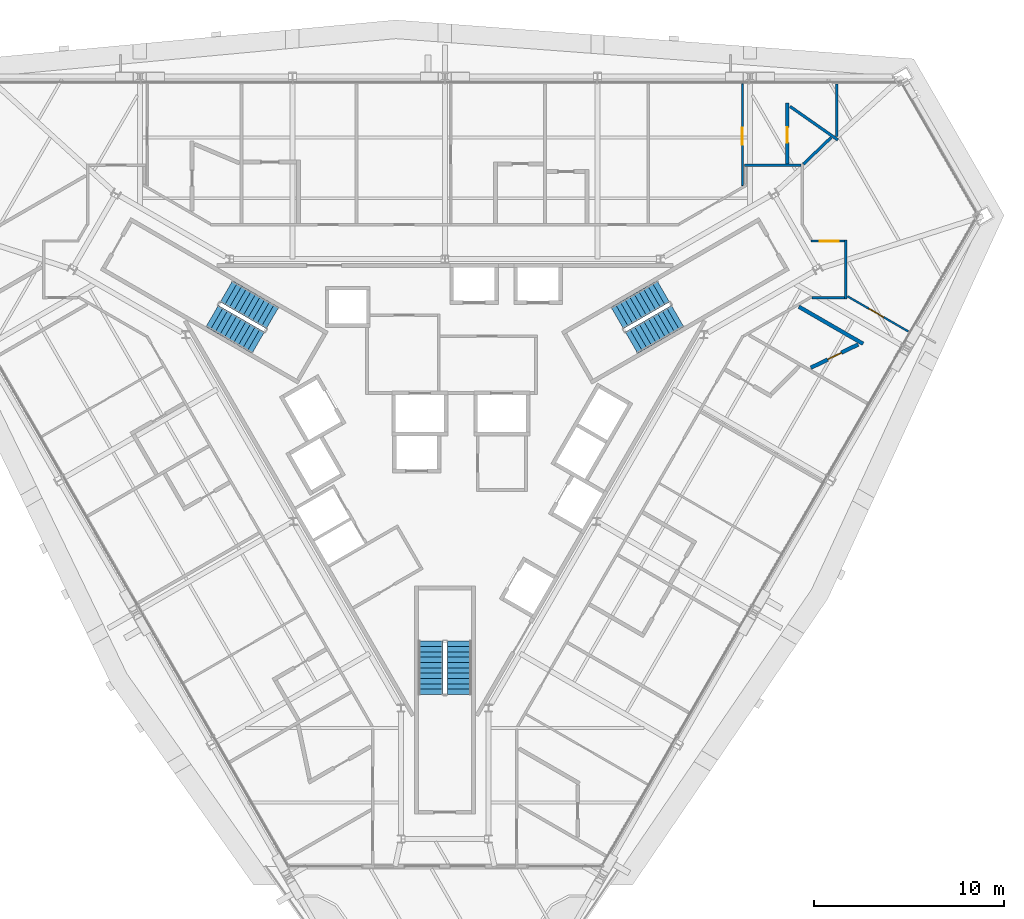
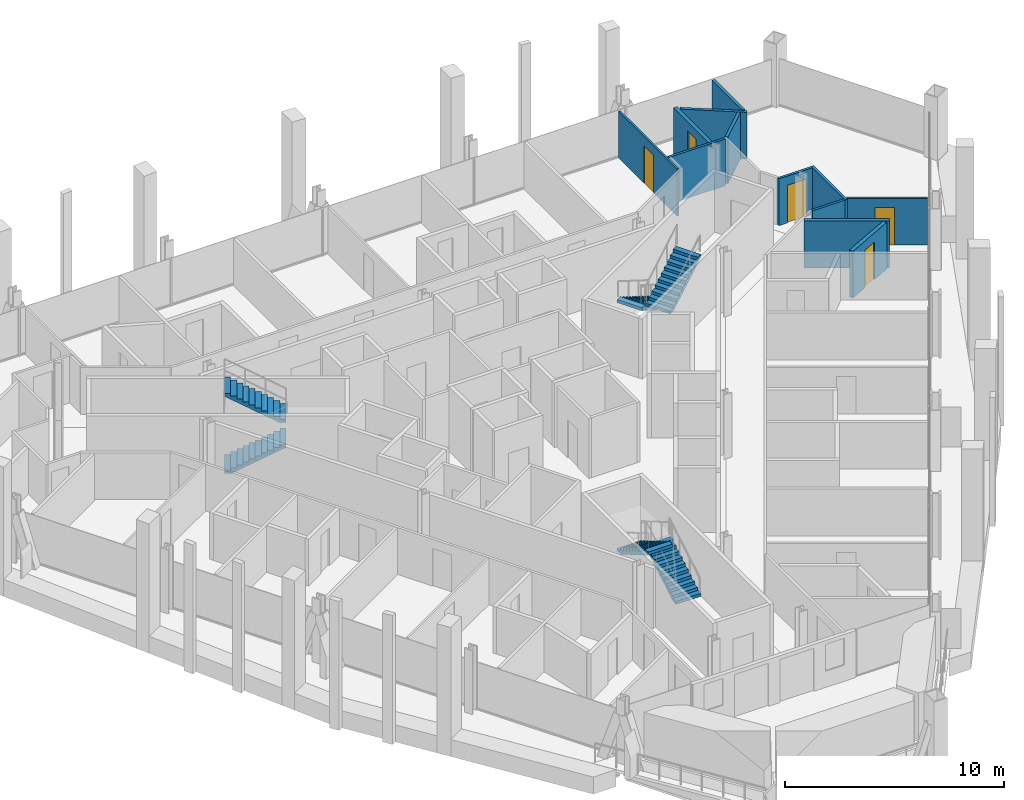
# One storey, part 14 of 16: 12 walls, 6 stair flights, 5 doors, 5 openings, 3 elements without a shape of their own.
"""IFC4 building model written with IfcOpenShell, lengths in metres."""

import ifcopenshell
import ifcopenshell.guid

model = None  # the IFC model being written
_history = None  # IfcOwnerHistory: only IFC2X3 demands one
_inside = {}  # id of a spatial element -> (the spatial element, [elements in it])
_under = {}  # id of a project, library or spatial element -> (it, [spatial elements below it])
_declared = {}  # id of a project -> (the project, [libraries it declares])
_typed = {}  # id of a type object -> (the type object, [elements of that type])
_made_of = {}  # id of a material, layer set ... -> (it, [elements and type objects made of it])


def new_model(schema):
    """Start an empty IFC model of exactly this schema.

    Asked for "IFC4X3", IfcOpenShell would pick the latest addendum, in which some entities
    have other attributes; the version numbers below select the first issue.
    IFC2X3 requires an IfcOwnerHistory on every rooted entity: one is made here for all.
    """
    global model, _history
    if schema == "IFC4X3":
        model = ifcopenshell.file(schema_version=(4, 3, 0, 0))
    else:
        model = ifcopenshell.file(schema=schema)
    _inside.clear()
    _under.clear()
    _declared.clear()
    _typed.clear()
    _made_of.clear()
    _history = None
    if model.schema == "IFC2X3":
        org = make("IfcOrganization", Name="unknown")
        user = make(
            "IfcPersonAndOrganization",
            ThePerson=make("IfcPerson", FamilyName="unknown"),
            TheOrganization=org,
        )
        app = make(
            "IfcApplication",
            ApplicationDeveloper=org,
            Version="unknown",
            ApplicationFullName="unknown",
            ApplicationIdentifier="unknown",
        )
        _history = make(
            "IfcOwnerHistory",
            OwningUser=user,
            OwningApplication=app,
            ChangeAction="ADDED",
            CreationDate=0,
        )
    return model


def make(cls, **values):
    """One entity of the class cls with the attributes given. An attribute that is None is left unset."""
    return model.create_entity(
        cls, **{name: value for name, value in values.items() if value is not None}
    )


def rooted(cls, **values):
    """An entity with a GlobalId (a new one), such as an element, a storey or a relation."""
    return make(cls, GlobalId=ifcopenshell.guid.new(), OwnerHistory=_history, **values)


def si_unit(unit_type, name, prefix=None):
    """IfcSIUnit, for example si_unit("LENGTHUNIT", "METRE", prefix="MILLI")."""
    return make("IfcSIUnit", UnitType=unit_type, Prefix=prefix, Name=name)


def assignment(units):
    """IfcUnitAssignment: the units of a project."""
    return None if units is None else make("IfcUnitAssignment", Units=units)


def point(xyz):
    """IfcCartesianPoint."""
    return None if xyz is None else make("IfcCartesianPoint", Coordinates=xyz)


def direction(xyz):
    """IfcDirection."""
    return None if xyz is None else make("IfcDirection", DirectionRatios=xyz)


def frame(location, z_axis=None, x_axis=None):
    """IfcAxis2Placement3D, a coordinate frame: its origin and axes. An axis left out is left unset."""
    return make(
        "IfcAxis2Placement3D",
        Location=point(location),
        Axis=direction(z_axis),
        RefDirection=direction(x_axis),
    )


def frame_2d(location, x_axis=None):
    """IfcAxis2Placement2D, a coordinate frame in the plane: its origin and x axis."""
    return make(
        "IfcAxis2Placement2D", Location=point(location), RefDirection=direction(x_axis)
    )


def origin():
    """The frame at (0, 0, 0) with its axes left unset."""
    return frame((0.0, 0.0, 0.0))


def place(relative_to, where):
    """IfcLocalPlacement: puts the frame where relative to a parent placement (None: the world)."""
    return make(
        "IfcLocalPlacement", PlacementRelTo=relative_to, RelativePlacement=where
    )


def context(
    kind, dimensions, precision=None, world=None, true_north=None, identifier=None
):
    """IfcGeometricRepresentationContext, for example the 3D "Model" context."""
    return make(
        "IfcGeometricRepresentationContext",
        ContextIdentifier=identifier,
        ContextType=kind,
        CoordinateSpaceDimension=dimensions,
        Precision=precision,
        WorldCoordinateSystem=world,
        TrueNorth=true_north,
    )


def subcontext(parent, identifier, kind, view, scale=None):
    """IfcGeometricRepresentationSubContext, for example "Body" below "Model"."""
    return make(
        "IfcGeometricRepresentationSubContext",
        ContextIdentifier=identifier,
        ContextType=kind,
        ParentContext=parent,
        TargetScale=scale,
        TargetView=view,
    )


def project(units=None, contexts=None):
    """IfcProject with its units and contexts."""
    return rooted(
        "IfcProject",
        Name="project",
        RepresentationContexts=contexts,
        UnitsInContext=assignment(units),
    )


def spatial(cls, under=None, at=None, **own):
    """A site, building, storey or space (cls), placed at a placement, below another one or the project."""
    s = rooted(cls, ObjectPlacement=at, **own)
    if under is not None:
        _under.setdefault(under.id(), (under, []))[1].append(s)
    return s


def polyline(points):
    """IfcPolyline through the points."""
    return make("IfcPolyline", Points=[point(p) for p in points])


def profile(cls, at=None, kind="AREA", **sizes):
    """A parametric profile (cls). Its sizes go by their IFC names, for example OverallWidth=200.0."""
    return make(cls, ProfileType=kind, Position=at, **sizes)


def rectangle(**sizes):
    """IfcRectangleProfileDef."""
    return profile("IfcRectangleProfileDef", **sizes)


def outline(outer, holes=None, kind="AREA"):
    """IfcArbitraryClosedProfileDef: a profile drawn as a closed curve; with holes, ...WithVoids."""
    if holes is None:
        return make("IfcArbitraryClosedProfileDef", ProfileType=kind, OuterCurve=outer)
    return make(
        "IfcArbitraryProfileDefWithVoids",
        ProfileType=kind,
        OuterCurve=outer,
        InnerCurves=holes,
    )


def extrude(swept, where, along, depth):
    """IfcExtrudedAreaSolid: the profile swept, set in the frame where, extruded along a direction by depth."""
    return make(
        "IfcExtrudedAreaSolid",
        SweptArea=swept,
        Position=where,
        ExtrudedDirection=direction(along),
        Depth=depth,
    )


def shape(context_of_items, identifier, shape_type, items):
    """IfcShapeRepresentation: the items that make up one representation, for example the "Body"."""
    return make(
        "IfcShapeRepresentation",
        ContextOfItems=context_of_items,
        RepresentationIdentifier=identifier,
        RepresentationType=shape_type,
        Items=items,
    )


def material(Name=None, Category=None):
    """IfcMaterial."""
    return make("IfcMaterial", Name=Name, Category=Category)


def layer(
    of_material, thickness, ventilated=None, Name=None, Category=None, Priority=None
):
    """IfcMaterialLayer: one layer of a wall or slab, of a material (None: an air gap)."""
    return make(
        "IfcMaterialLayer",
        Material=of_material,
        LayerThickness=thickness,
        IsVentilated=ventilated,
        Name=Name,
        Category=Category,
        Priority=Priority,
    )


def layer_set(layers, Name=None):
    """IfcMaterialLayerSet."""
    return make("IfcMaterialLayerSet", MaterialLayers=layers, LayerSetName=Name)


def made_of(thing, what):
    """Note that an element or type object is made of a material, layer set ...; save() writes the relation."""
    if what is not None:
        _made_of.setdefault(what.id(), (what, []))[1].append(thing)
    return thing


def type_object(cls, material=None, **own):
    """A type object (cls), such as IfcWallType, which elements share."""
    return made_of(rooted(cls, **own), material)


def element(
    cls,
    number,
    at=None,
    inside=None,
    cuts=None,
    type_object=None,
    material=None,
    context=None,
    identifier="Body",
    shape_type=None,
    held_by="IfcProductDefinitionShape",
    body=None,
    shapes=None,
    **own,
):
    """One element of the class cls, such as IfcWall. Its Tag is "e" and its number.

    at: its placement. inside: the storey or other place that contains it. cuts: it is an
    opening in that element (IfcRelVoidsElement). A single representation is given by context,
    identifier, shape_type and body (its items); several are given by shapes. held_by: the class
    of the entity that holds the representations. save() writes the other relations.
    """
    e = rooted(cls, Tag="e%d" % number, ObjectPlacement=at, **own)
    if body is not None:
        shapes = [shape(context, identifier, shape_type, body)]
    if shapes is not None:
        e.Representation = make(held_by, Representations=shapes)
    if inside is not None:
        _inside.setdefault(inside.id(), (inside, []))[1].append(e)
    if cuts is not None:
        rooted(
            "IfcRelVoidsElement", RelatingBuildingElement=cuts, RelatedOpeningElement=e
        )
    if type_object is not None:
        _typed.setdefault(type_object.id(), (type_object, []))[1].append(e)
    return made_of(e, material)


def fill(opening, filler):
    """IfcRelFillsElement: the door or window that sits in an opening."""
    return rooted(
        "IfcRelFillsElement",
        RelatingOpeningElement=opening,
        RelatedBuildingElement=filler,
    )


def aggregate(whole, parts):
    """IfcRelAggregates: a whole, such as a stair, and the parts it consists of."""
    return rooted("IfcRelAggregates", RelatingObject=whole, RelatedObjects=parts)


def save(model, path):
    """Write the relations noted so far, then the file.

    IfcRelAggregates (storeys below a building ...), IfcRelContainedInSpatialStructure (elements
    in a storey), IfcRelDefinesByType, IfcRelAssociatesMaterial and IfcRelDeclares: one each for
    every whole, place, type object, material and project.
    """
    for whole, parts in _under.values():
        aggregate(whole, parts)
    for where, things in _inside.values():
        rooted(
            "IfcRelContainedInSpatialStructure",
            RelatedElements=things,
            RelatingStructure=where,
        )
    for kind, things in _typed.values():
        rooted("IfcRelDefinesByType", RelatedObjects=things, RelatingType=kind)
    for what, things in _made_of.values():
        rooted("IfcRelAssociatesMaterial", RelatedObjects=things, RelatingMaterial=what)
    for by, libraries in _declared.values():
        rooted("IfcRelDeclares", RelatingContext=by, RelatedDefinitions=libraries)
    model.write(path)


model = new_model("IFC4")

# Units and contexts
model_context = context("Model", 3, precision=1e-05, world=origin(), true_north=direction((0.0, 1.0)))
body_context = subcontext(model_context, "Body", "Model", "MODEL_VIEW")
ifc_project = project(units=[si_unit("LENGTHUNIT", "METRE"), si_unit("AREAUNIT", "SQUARE_METRE"), si_unit("VOLUMEUNIT", "CUBIC_METRE"), si_unit("PLANEANGLEUNIT", "RADIAN"), si_unit("MASSUNIT", "GRAM", prefix="KILO")], contexts=[model_context])

# Site, building, storey
site_placement = place(None, origin())
site = spatial("IfcSite", under=ifc_project, at=site_placement, CompositionType="ELEMENT")
building_placement = place(site_placement, origin())
building = spatial("IfcBuilding", under=site, at=building_placement, Name="Verrane Prism Tower", CompositionType="ELEMENT")
storey_placement = place(building_placement, frame((0.0, 0.0, 114.39990234375)))
storey = spatial("IfcBuildingStorey", under=building, at=storey_placement, Name="L27", CompositionType="ELEMENT", Elevation=114.39990234375)

# Wall, opening, door
ifc_material_1 = material(Name="Gypsum board partition", Category="other")
ifc_layer_1 = layer(ifc_material_1, 0.10009765625)
ifc_layer_set_1 = layer_set([ifc_layer_1], Name="PW-100 room partition")
wall_type_1 = type_object("IfcWallType", Name="PW-100 room partition", PredefinedType="PARTITIONING", material=ifc_layer_set_1)
wall_1_placement = place(storey_placement, frame((15.65087890625, 18.4150390625, 0.0), z_axis=(0.0, 0.0, 1.0), x_axis=(0.0, -1.0, 0.0)))
wall_1 = element("IfcWall", 1, at=wall_1_placement, inside=storey, type_object=wall_type_1, Name="Room partition 061", PredefinedType="PARTITIONING", context=body_context, shape_type="SweptSolid", body=[
    extrude(rectangle(XDim=5.35205078125, YDim=0.10009765625, at=frame_2d((2.676025390625, 0.0))), origin(), (0.0, 0.0, 1.0), 2.613037109375),
])
opening_1_placement = place(wall_1_placement, frame((2.302978515625, 0.0, 0.0)))
opening_1 = element("IfcOpeningElement", 2, at=opening_1_placement, cuts=wall_1, Name="Opening D27002", PredefinedType="OPENING", context=body_context, shape_type="SweptSolid", body=[
    extrude(rectangle(XDim=0.89990234375, YDim=2.10009765625, at=frame_2d((0.449951171875, 1.050048828125))), frame((0.0, 0.06005859375, 0.0), z_axis=(0.0, -1.0, 0.0), x_axis=(1.0, 0.0, 0.0)), (0.0, 0.0, 1.0), 0.1201171875),
])
ifc_material_2 = material(Name="Timber veneered door leaf", Category="wood")
door_type_1 = type_object("IfcDoorType", Name="DR-900x2100 single leaf inner", OperationType="NOTDEFINED", PredefinedType="DOOR", material=ifc_material_2)
door_1_placement = place(opening_1_placement, origin())
door_1 = element("IfcDoor", 3, at=door_1_placement, inside=storey, type_object=door_type_1, Name="Suite Living Room door", OperationType="SINGLE_SWING_LEFT", OverallHeight=2.10009765625, OverallWidth=0.89990234375, PredefinedType="DOOR", context=body_context, shape_type="SweptSolid", body=[
    extrude(rectangle(XDim=0.89990234375, YDim=2.10009765625, at=frame_2d((0.449951171875, 1.050048828125))), frame((0.0, 0.02490234375, 0.0), z_axis=(0.0, -1.0, 0.0), x_axis=(1.0, 0.0, 0.0)), (0.0, 0.0, 1.0), 0.050048828125),
])
fill(opening_1, door_1)

wall_2_placement = place(storey_placement, frame((24.375732421875, 5.389892578125, 0.0), z_axis=(0.0, 0.0, 1.0), x_axis=(-0.865974401185, 0.500088328689, 0.0)))
wall_2 = element("IfcWall", 4, at=wall_2_placement, inside=storey, type_object=wall_type_1, Name="Room partition 078", PredefinedType="PARTITIONING", context=body_context, shape_type="SweptSolid", body=[
    extrude(rectangle(XDim=3.696533203125, YDim=0.10009765625, at=frame_2d((1.84814453125, 0.0))), origin(), (0.0, 0.0, 1.0), 2.613037109375),
])
opening_2_placement = place(wall_2_placement, frame((1.497802734375, 0.0, 0.0)))
opening_2 = element("IfcOpeningElement", 5, at=opening_2_placement, cuts=wall_2, Name="Opening D27038", PredefinedType="OPENING", context=body_context, shape_type="SweptSolid", body=[
    extrude(rectangle(XDim=0.89990234375, YDim=2.10009765625, at=frame_2d((0.449951171875, 1.050048828125))), frame((0.0, 0.06005859375, 0.0), z_axis=(0.0, -1.0, 0.0), x_axis=(1.0, 0.0, 0.0)), (0.0, 0.0, 1.0), 0.1201171875),
])
door_2_placement = place(opening_2_placement, origin())
door_2 = element("IfcDoor", 6, at=door_2_placement, inside=storey, type_object=door_type_1, Name="Suite Living Room door", OperationType="SINGLE_SWING_LEFT", OverallHeight=2.10009765625, OverallWidth=0.89990234375, PredefinedType="DOOR", context=body_context, shape_type="SweptSolid", body=[
    extrude(rectangle(XDim=0.89990234375, YDim=2.10009765625, at=frame_2d((0.449951171875, 1.050048828125))), frame((0.0, 0.02490234375, 0.0), z_axis=(0.0, -1.0, 0.0), x_axis=(1.0, 0.0, 0.0)), (0.0, 0.0, 1.0), 0.050048828125),
])
fill(opening_2, door_2)

# Walls
ifc_material_3 = material(Name="Gypsum board partition", Category="other")
ifc_layer_2 = layer(ifc_material_3, 0.125)
ifc_layer_set_2 = layer_set([ifc_layer_2], Name="PW-125 corridor wall 1 h")
wall_type_2 = type_object("IfcWallType", Name="PW-125 corridor wall 1 h", PredefinedType="PARTITIONING", material=ifc_layer_set_2)
wall_3_placement = place(storey_placement, frame((15.75048828125, 14.126953125, 0.0), z_axis=(0.0, 0.0, 1.0), x_axis=(1.0, 0.0, 0.0)))
element("IfcWall", 7, at=wall_3_placement, inside=storey, type_object=wall_type_2, Name="Corridor wall 064", PredefinedType="PARTITIONING", context=body_context, shape_type="SweptSolid", body=[
    extrude(rectangle(XDim=2.971435546875, YDim=0.125, at=frame_2d((1.48583984375, 0.0))), origin(), (0.0, 0.0, 1.0), 2.613037109375),
])
wall_4_placement = place(storey_placement, frame((19.30908203125, 7.173095703125, 0.0), z_axis=(0.0, 0.0, 1.0), x_axis=(1.0, 0.0, 0.0)))
element("IfcWall", 8, at=wall_4_placement, inside=storey, type_object=wall_type_2, Name="Corridor wall 074", PredefinedType="PARTITIONING", context=body_context, shape_type="SweptSolid", body=[
    extrude(rectangle(XDim=1.712890625, YDim=0.125, at=frame_2d((0.8564453125, 0.0))), origin(), (0.0, 0.0, 1.0), 2.613037109375),
])

# Wall, opening, door
wall_5_placement = place(storey_placement, frame((19.25146484375, 10.14697265625, 0.0), z_axis=(0.0, 0.0, 1.0), x_axis=(1.0, 0.0, 0.0)))
wall_5 = element("IfcWall", 9, at=wall_5_placement, inside=storey, type_object=wall_type_2, Name="Corridor wall 075", PredefinedType="PARTITIONING", context=body_context, shape_type="SweptSolid", body=[
    extrude(rectangle(XDim=1.7705078125, YDim=0.125, at=frame_2d((0.88525390625, 0.0))), origin(), (0.0, 0.0, 1.0), 2.613037109375),
])
opening_3_placement = place(wall_5_placement, frame((0.46240234375, 0.0, 0.0)))
opening_3 = element("IfcOpeningElement", 10, at=opening_3_placement, cuts=wall_5, Name="Opening D27037", PredefinedType="OPENING", context=body_context, shape_type="SweptSolid", body=[
    extrude(rectangle(XDim=1.0, YDim=2.10009765625, at=frame_2d((0.5, 1.050048828125))), frame((0.0, 0.072509765625, 0.0), z_axis=(0.0, -1.0, 0.0), x_axis=(1.0, 0.0, 0.0)), (0.0, 0.0, 1.0), 0.14501953125),
])
ifc_material_4 = material(Name="Timber veneered door leaf", Category="wood")
door_type_2 = type_object("IfcDoorType", Name="DR-1000x2100 FD20 single leaf unit", OperationType="NOTDEFINED", PredefinedType="DOOR", material=ifc_material_4)
door_3_placement = place(opening_3_placement, origin())
door_3 = element("IfcDoor", 11, at=door_3_placement, inside=storey, type_object=door_type_2, Name="Suite Living Room door", OperationType="SINGLE_SWING_LEFT", OverallHeight=2.10009765625, OverallWidth=1.0, PredefinedType="DOOR", context=body_context, shape_type="SweptSolid", body=[
    extrude(rectangle(XDim=1.0, YDim=2.10009765625, at=frame_2d((0.5, 1.050048828125))), frame((0.0, 0.02490234375, 0.0), z_axis=(0.0, -1.0, 0.0), x_axis=(1.0, 0.0, 0.0)), (0.0, 0.0, 1.0), 0.050048828125),
])
fill(opening_3, door_3)

# Walls
wall_6_placement = place(storey_placement, frame((21.0869140625, 7.110595703125, 0.0), z_axis=(0.0, 0.0, 1.0), x_axis=(0.0, 1.0, 0.0)))
element("IfcWall", 12, at=wall_6_placement, inside=storey, type_object=wall_type_2, Name="Corridor wall 077", PredefinedType="PARTITIONING", context=body_context, shape_type="SweptSolid", body=[
    extrude(rectangle(XDim=3.098876953125, YDim=0.125, at=frame_2d((1.54931640625, 0.0))), origin(), (0.0, 0.0, 1.0), 2.613037109375),
])
ifc_material_5 = material(Name="Gypsum board partition", Category="other")
ifc_layer_3 = layer(ifc_material_5, 0.14990234375)
ifc_layer_set_3 = layer_set([ifc_layer_3], Name="PW-150 demising wall 1 h")
wall_type_3 = type_object("IfcWallType", Name="PW-150 demising wall 1 h", PredefinedType="PARTITIONING", material=ifc_layer_set_3)
wall_7_placement = place(storey_placement, frame((18.150390625, 17.2265625, 0.0), z_axis=(0.0, 0.0, 1.0), x_axis=(0.819261773051, -0.573419695526, 0.0)))
element("IfcWall", 13, at=wall_7_placement, inside=storey, type_object=wall_type_3, Name="Demising wall 068", PredefinedType="PARTITIONING", context=body_context, shape_type="SweptSolid", body=[
    extrude(rectangle(XDim=3.073486328125, YDim=0.14990234375, at=frame_2d((1.53662109375, 0.0))), origin(), (0.0, 0.0, 1.0), 2.613037109375),
])
wall_8_placement = place(storey_placement, frame((18.85009765625, 14.1875, 0.0), z_axis=(0.0, 0.0, 1.0), x_axis=(0.722035565689, 0.69185594012, 0.0)))
element("IfcWall", 14, at=wall_8_placement, inside=storey, type_object=wall_type_3, Name="Demising wall 072", PredefinedType="PARTITIONING", context=body_context, shape_type="SweptSolid", body=[
    extrude(rectangle(XDim=2.03857421875, YDim=0.14990234375, at=frame_2d((1.019287109375, 0.0))), origin(), (0.0, 0.0, 1.0), 2.613037109375),
])
wall_9_placement = place(storey_placement, frame((20.60693359375, 15.652099609375, 0.0), z_axis=(0.0, 0.0, 1.0), x_axis=(0.0, 1.0, 0.0)))
element("IfcWall", 15, at=wall_9_placement, inside=storey, type_object=wall_type_3, Name="Demising wall 076", PredefinedType="PARTITIONING", context=body_context, shape_type="SweptSolid", body=[
    extrude(rectangle(XDim=2.762939453125, YDim=0.14990234375, at=frame_2d((1.38134765625, 0.0))), origin(), (0.0, 0.0, 1.0), 2.613037109375),
])

# Wall, opening, door
ifc_material_6 = material(Name="Gypsum board partition", Category="other")
ifc_layer_4 = layer(ifc_material_6, 0.199951171875)
ifc_layer_set_4 = layer_set([ifc_layer_4], Name="PW-200 plumbing wall")
wall_type_4 = type_object("IfcWallType", Name="PW-200 plumbing wall", PredefinedType="PARTITIONING", material=ifc_layer_set_4)
wall_10_placement = place(storey_placement, frame((18.007080078125, 17.402099609375, 0.0), z_axis=(0.0, 0.0, 1.0), x_axis=(0.0, -1.0, 0.0)))
wall_10 = element("IfcWall", 16, at=wall_10_placement, inside=storey, type_object=wall_type_4, Name="Plumbing wall 067", PredefinedType="PARTITIONING", context=body_context, shape_type="SweptSolid", body=[
    extrude(rectangle(XDim=3.212646484375, YDim=0.199951171875, at=frame_2d((1.6064453125, 0.0))), origin(), (0.0, 0.0, 1.0), 2.613037109375),
])
opening_4_placement = place(wall_10_placement, frame((1.27490234375, 0.0, 0.0)))
opening_4 = element("IfcOpeningElement", 17, at=opening_4_placement, cuts=wall_10, Name="Opening D27003", PredefinedType="OPENING", context=body_context, shape_type="SweptSolid", body=[
    extrude(rectangle(XDim=0.800048828125, YDim=2.10009765625, at=frame_2d((0.39990234375, 1.050048828125))), frame((0.0, 0.10986328125, 0.0), z_axis=(0.0, -1.0, 0.0), x_axis=(1.0, 0.0, 0.0)), (0.0, 0.0, 1.0), 0.219970703125),
])
ifc_material_7 = material(Name="Timber veneered door leaf", Category="wood")
door_type_3 = type_object("IfcDoorType", Name="DR-800x2100 single leaf bath", OperationType="NOTDEFINED", PredefinedType="DOOR", material=ifc_material_7)
door_4_placement = place(opening_4_placement, origin())
door_4 = element("IfcDoor", 18, at=door_4_placement, inside=storey, type_object=door_type_3, Name="En-Suite door", OperationType="SINGLE_SWING_RIGHT", OverallHeight=2.10009765625, OverallWidth=0.800048828125, PredefinedType="DOOR", context=body_context, shape_type="SweptSolid", body=[
    extrude(rectangle(XDim=0.800048828125, YDim=2.10009765625, at=frame_2d((0.39990234375, 1.050048828125))), frame((0.0, 0.02490234375, 0.0), z_axis=(0.0, -1.0, 0.0), x_axis=(1.0, 0.0, 0.0)), (0.0, 0.0, 1.0), 0.050048828125),
])
fill(opening_4, door_4)

# Wall
wall_11_placement = place(storey_placement, frame((18.616455078125, 6.692138671875, 0.0), z_axis=(0.0, 0.0, 1.0), x_axis=(0.865984367075, -0.500071070931, 0.0)))
element("IfcWall", 19, at=wall_11_placement, inside=storey, type_object=wall_type_4, Name="Plumbing wall 069", PredefinedType="PARTITIONING", context=body_context, shape_type="SweptSolid", body=[
    extrude(rectangle(XDim=3.89990234375, YDim=0.199951171875, at=frame_2d((1.949951171875, 0.0))), origin(), (0.0, 0.0, 1.0), 2.613037109375),
])

# Wall, opening, door
wall_12_placement = place(storey_placement, frame((19.244873046875, 3.478515625, 0.0), z_axis=(0.0, 0.0, 1.0), x_axis=(0.896782684503, 0.44247126096, 0.0)))
wall_12 = element("IfcWall", 20, at=wall_12_placement, inside=storey, type_object=wall_type_4, Name="Plumbing wall 073", PredefinedType="PARTITIONING", context=body_context, shape_type="SweptSolid", body=[
    extrude(rectangle(XDim=2.78369140625, YDim=0.199951171875, at=frame_2d((1.391845703125, 0.0))), origin(), (0.0, 0.0, 1.0), 2.613037109375),
])
opening_5_placement = place(wall_12_placement, frame((0.992919921875, 0.0, 0.0)))
opening_5 = element("IfcOpeningElement", 21, at=opening_5_placement, cuts=wall_12, Name="Opening D27039", PredefinedType="OPENING", context=body_context, shape_type="SweptSolid", body=[
    extrude(rectangle(XDim=0.800048828125, YDim=2.10009765625, at=frame_2d((0.39990234375, 1.050048828125))), frame((0.0, 0.10986328125, 0.0), z_axis=(0.0, -1.0, 0.0), x_axis=(1.0, 0.0, 0.0)), (0.0, 0.0, 1.0), 0.219970703125),
])
door_5_placement = place(opening_5_placement, origin())
door_5 = element("IfcDoor", 22, at=door_5_placement, inside=storey, type_object=door_type_3, Name="En-Suite door", OperationType="SINGLE_SWING_LEFT", OverallHeight=2.10009765625, OverallWidth=0.800048828125, PredefinedType="DOOR", context=body_context, shape_type="SweptSolid", body=[
    extrude(rectangle(XDim=0.800048828125, YDim=2.10009765625, at=frame_2d((0.39990234375, 1.050048828125))), frame((0.0, 0.02490234375, 0.0), z_axis=(0.0, -1.0, 0.0), x_axis=(1.0, 0.0, 0.0)), (0.0, 0.0, 1.0), 0.050048828125),
])
fill(opening_5, door_5)

# Stair, stair flights
ifc_material_8 = material(Name="Concrete C40/50", Category="concrete")
stair_type = type_object("IfcStairType", Name="Exit stair 1300 dog-leg precast concrete C40/50", PredefinedType="HALF_TURN_STAIR", material=ifc_material_8)
stair_1_placement = place(storey_placement, origin())
stair_1 = element("IfcStair", 23, at=stair_1_placement, inside=storey, type_object=stair_type, Name="Stair 1 L27", PredefinedType="HALF_TURN_STAIR")
ifc_material_9 = material(Name="Concrete C40/50", Category="concrete")
stair_flight_type = type_object("IfcStairFlightType", Name="Stair flight 1300 precast concrete C40/50", PredefinedType="STRAIGHT", material=ifc_material_9)
stair_flight_1_placement = place(storey_placement, frame((11.489501953125, 7.49951171875, 0.0), z_axis=(0.0, 0.0, 1.0), x_axis=(-0.866025403784, -0.5, 0.0)))
stair_flight_1 = element("IfcStairFlight", 24, at=stair_flight_1_placement, type_object=stair_flight_type, Name="Stair 1 flight 1", NumberOfRisers=11, NumberOfTreads=10, PredefinedType="STRAIGHT", RiserHeight=0.163636364, TreadLength=0.28, context=body_context, shape_type="SweptSolid", body=[
    extrude(outline(polyline([(0.0, 0.0), (0.0, 0.16357421875), (0.280029296875, 0.16357421875), (0.280029296875, 0.327392578125), (0.56005859375, 0.327392578125), (0.56005859375, 0.490966796875), (0.840087890625, 0.490966796875), (0.840087890625, 0.654541015625), (1.1201171875, 0.654541015625), (1.1201171875, 0.818115234375), (1.39990234375, 0.818115234375), (1.39990234375, 0.98193359375), (1.679931640625, 0.98193359375), (1.679931640625, 1.1455078125), (1.9599609375, 1.1455078125), (1.9599609375, 1.30908203125), (2.239990234375, 1.30908203125), (2.239990234375, 1.47265625), (2.52001953125, 1.47265625), (2.52001953125, 1.636474609375), (2.800048828125, 1.636474609375), (2.800048828125, 1.800048828125), (2.800048828125, 1.462646484375), (0.297119140625, 0.0), (0.0, 0.0)])), frame((0.0, 0.64990234375, 0.0), z_axis=(0.0, -1.0, 0.0), x_axis=(1.0, 0.0, 0.0)), (0.0, 0.0, 1.0), 1.300048828125),
])
stair_flight_2_placement = place(storey_placement, frame((9.814697265625, 4.800537109375, 1.800048828125), z_axis=(0.0, 0.0, 1.0), x_axis=(0.866025403784, 0.5, 0.0)))
stair_flight_2 = element("IfcStairFlight", 25, at=stair_flight_2_placement, type_object=stair_flight_type, Name="Stair 1 flight 2", NumberOfRisers=11, NumberOfTreads=10, PredefinedType="STRAIGHT", RiserHeight=0.163636364, TreadLength=0.28, context=body_context, shape_type="SweptSolid", body=[
    extrude(outline(polyline([(0.0, 0.0), (0.0, 0.16357421875), (0.280029296875, 0.16357421875), (0.280029296875, 0.327392578125), (0.56005859375, 0.327392578125), (0.56005859375, 0.490966796875), (0.840087890625, 0.490966796875), (0.840087890625, 0.654541015625), (1.1201171875, 0.654541015625), (1.1201171875, 0.818115234375), (1.39990234375, 0.818115234375), (1.39990234375, 0.98193359375), (1.679931640625, 0.98193359375), (1.679931640625, 1.1455078125), (1.9599609375, 1.1455078125), (1.9599609375, 1.30908203125), (2.239990234375, 1.30908203125), (2.239990234375, 1.47265625), (2.52001953125, 1.47265625), (2.52001953125, 1.636474609375), (2.800048828125, 1.636474609375), (2.800048828125, 1.800048828125), (2.800048828125, 1.462646484375), (0.297119140625, 0.0), (0.0, 0.0)])), frame((0.0, 0.64990234375, 0.0), z_axis=(0.0, -1.0, 0.0), x_axis=(1.0, 0.0, 0.0)), (0.0, 0.0, 1.0), 1.300048828125),
])
aggregate(stair_1, [stair_flight_1, stair_flight_2])

stair_2_placement = place(storey_placement, origin())
stair_2 = element("IfcStair", 26, at=stair_2_placement, inside=storey, type_object=stair_type, Name="Stair 2 L27", PredefinedType="HALF_TURN_STAIR")
stair_flight_3_placement = place(storey_placement, frame((-12.239501953125, 6.200439453125, 0.0), z_axis=(0.0, 0.0, 1.0), x_axis=(0.866025403784, -0.5, 0.0)))
stair_flight_3 = element("IfcStairFlight", 27, at=stair_flight_3_placement, type_object=stair_flight_type, Name="Stair 2 flight 1", NumberOfRisers=11, NumberOfTreads=10, PredefinedType="STRAIGHT", RiserHeight=0.163636364, TreadLength=0.28, context=body_context, shape_type="SweptSolid", body=[
    extrude(outline(polyline([(0.0, 0.0), (0.0, 0.16357421875), (0.280029296875, 0.16357421875), (0.280029296875, 0.327392578125), (0.56005859375, 0.327392578125), (0.56005859375, 0.490966796875), (0.840087890625, 0.490966796875), (0.840087890625, 0.654541015625), (1.1201171875, 0.654541015625), (1.1201171875, 0.818115234375), (1.39990234375, 0.818115234375), (1.39990234375, 0.98193359375), (1.679931640625, 0.98193359375), (1.679931640625, 1.1455078125), (1.9599609375, 1.1455078125), (1.9599609375, 1.30908203125), (2.239990234375, 1.30908203125), (2.239990234375, 1.47265625), (2.52001953125, 1.47265625), (2.52001953125, 1.636474609375), (2.800048828125, 1.636474609375), (2.800048828125, 1.800048828125), (2.800048828125, 1.462646484375), (0.297119140625, 0.0), (0.0, 0.0)])), frame((0.0, 0.64990234375, 0.0), z_axis=(0.0, -1.0, 0.0), x_axis=(1.0, 0.0, 0.0)), (0.0, 0.0, 1.0), 1.300048828125),
])
stair_flight_4_placement = place(storey_placement, frame((-9.064697265625, 6.099609375, 1.800048828125), z_axis=(0.0, 0.0, 1.0), x_axis=(-0.866025403784, 0.5, 0.0)))
stair_flight_4 = element("IfcStairFlight", 28, at=stair_flight_4_placement, type_object=stair_flight_type, Name="Stair 2 flight 2", NumberOfRisers=11, NumberOfTreads=10, PredefinedType="STRAIGHT", RiserHeight=0.163636364, TreadLength=0.28, context=body_context, shape_type="SweptSolid", body=[
    extrude(outline(polyline([(0.0, 0.0), (0.0, 0.16357421875), (0.280029296875, 0.16357421875), (0.280029296875, 0.327392578125), (0.56005859375, 0.327392578125), (0.56005859375, 0.490966796875), (0.840087890625, 0.490966796875), (0.840087890625, 0.654541015625), (1.1201171875, 0.654541015625), (1.1201171875, 0.818115234375), (1.39990234375, 0.818115234375), (1.39990234375, 0.98193359375), (1.679931640625, 0.98193359375), (1.679931640625, 1.1455078125), (1.9599609375, 1.1455078125), (1.9599609375, 1.30908203125), (2.239990234375, 1.30908203125), (2.239990234375, 1.47265625), (2.52001953125, 1.47265625), (2.52001953125, 1.636474609375), (2.800048828125, 1.636474609375), (2.800048828125, 1.800048828125), (2.800048828125, 1.462646484375), (0.297119140625, 0.0), (0.0, 0.0)])), frame((0.0, 0.64990234375, 0.0), z_axis=(0.0, -1.0, 0.0), x_axis=(1.0, 0.0, 0.0)), (0.0, 0.0, 1.0), 1.300048828125),
])
aggregate(stair_2, [stair_flight_3, stair_flight_4])

stair_3_placement = place(storey_placement, origin())
stair_3 = element("IfcStair", 29, at=stair_3_placement, inside=storey, type_object=stair_type, Name="Stair 3 L27", PredefinedType="HALF_TURN_STAIR")
stair_flight_5_placement = place(storey_placement, frame((0.75, -13.699951171875, 0.0), z_axis=(0.0, 0.0, 1.0), x_axis=(0.0, 1.0, 0.0)))
stair_flight_5 = element("IfcStairFlight", 30, at=stair_flight_5_placement, type_object=stair_flight_type, Name="Stair 3 flight 1", NumberOfRisers=11, NumberOfTreads=10, PredefinedType="STRAIGHT", RiserHeight=0.163636364, TreadLength=0.28, context=body_context, shape_type="SweptSolid", body=[
    extrude(outline(polyline([(0.0, 0.0), (0.0, 0.16357421875), (0.280029296875, 0.16357421875), (0.280029296875, 0.327392578125), (0.56005859375, 0.327392578125), (0.56005859375, 0.490966796875), (0.840087890625, 0.490966796875), (0.840087890625, 0.654541015625), (1.1201171875, 0.654541015625), (1.1201171875, 0.818115234375), (1.39990234375, 0.818115234375), (1.39990234375, 0.98193359375), (1.679931640625, 0.98193359375), (1.679931640625, 1.1455078125), (1.9599609375, 1.1455078125), (1.9599609375, 1.30908203125), (2.239990234375, 1.30908203125), (2.239990234375, 1.47265625), (2.52001953125, 1.47265625), (2.52001953125, 1.636474609375), (2.800048828125, 1.636474609375), (2.800048828125, 1.800048828125), (2.800048828125, 1.462646484375), (0.297119140625, 0.0), (0.0, 0.0)])), frame((0.0, 0.64990234375, 0.0), z_axis=(0.0, -1.0, 0.0), x_axis=(1.0, 0.0, 0.0)), (0.0, 0.0, 1.0), 1.300048828125),
])
stair_flight_6_placement = place(storey_placement, frame((-0.75, -10.89990234375, 1.800048828125), z_axis=(0.0, 0.0, 1.0), x_axis=(0.0, -1.0, 0.0)))
stair_flight_6 = element("IfcStairFlight", 31, at=stair_flight_6_placement, type_object=stair_flight_type, Name="Stair 3 flight 2", NumberOfRisers=11, NumberOfTreads=10, PredefinedType="STRAIGHT", RiserHeight=0.163636364, TreadLength=0.28, context=body_context, shape_type="SweptSolid", body=[
    extrude(outline(polyline([(0.0, 0.0), (0.0, 0.16357421875), (0.280029296875, 0.16357421875), (0.280029296875, 0.327392578125), (0.56005859375, 0.327392578125), (0.56005859375, 0.490966796875), (0.840087890625, 0.490966796875), (0.840087890625, 0.654541015625), (1.1201171875, 0.654541015625), (1.1201171875, 0.818115234375), (1.39990234375, 0.818115234375), (1.39990234375, 0.98193359375), (1.679931640625, 0.98193359375), (1.679931640625, 1.1455078125), (1.9599609375, 1.1455078125), (1.9599609375, 1.30908203125), (2.239990234375, 1.30908203125), (2.239990234375, 1.47265625), (2.52001953125, 1.47265625), (2.52001953125, 1.636474609375), (2.800048828125, 1.636474609375), (2.800048828125, 1.800048828125), (2.800048828125, 1.462646484375), (0.297119140625, 0.0), (0.0, 0.0)])), frame((0.0, 0.64990234375, 0.0), z_axis=(0.0, -1.0, 0.0), x_axis=(1.0, 0.0, 0.0)), (0.0, 0.0, 1.0), 1.300048828125),
])
aggregate(stair_3, [stair_flight_5, stair_flight_6])

save(model, "model.ifc")
